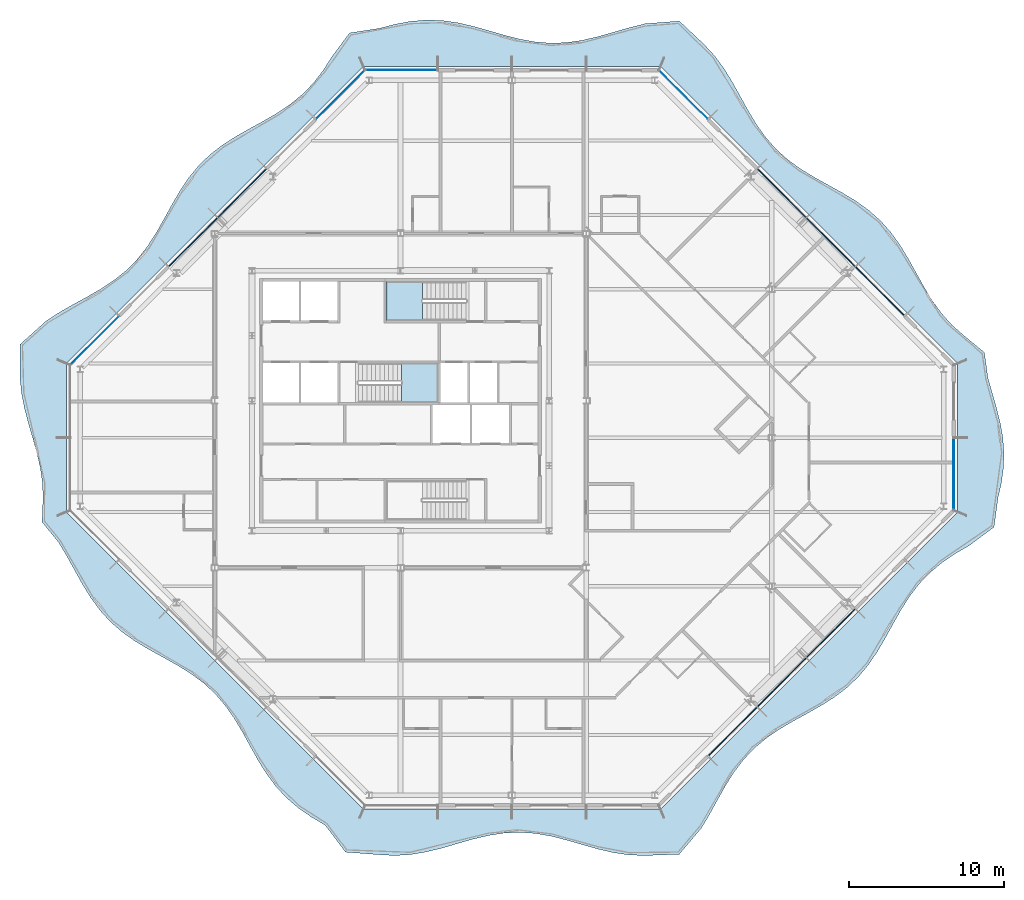
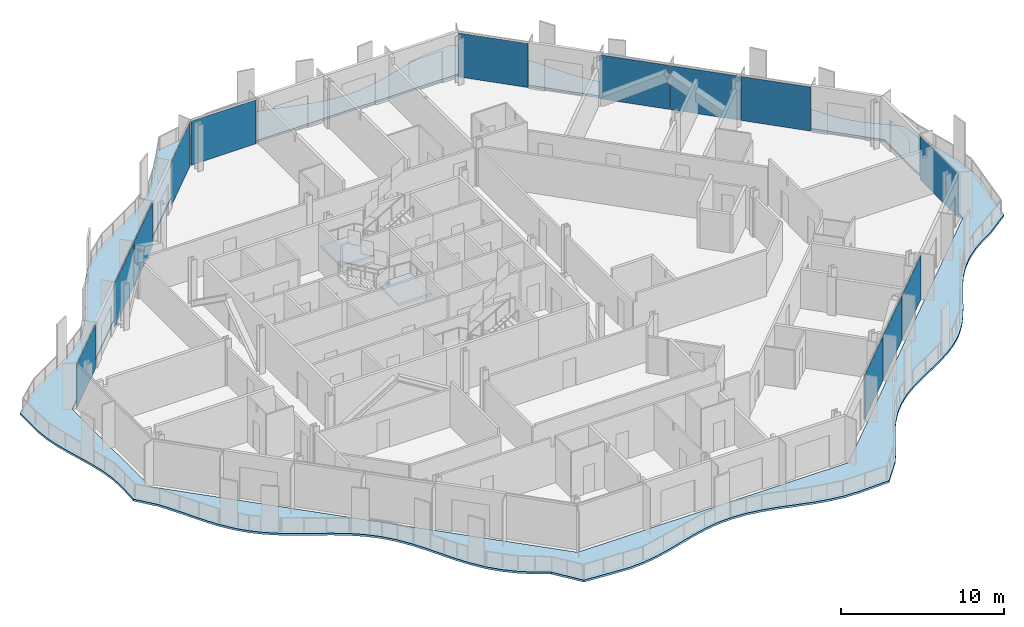
# One storey, part 6 of 17: 13 plates, 3 slabs, 7 elements without a shape of their own.
"""IFC4 building model written with IfcOpenShell, lengths in metres."""

from ifc_helpers import new_model, si_unit, direction, frame, origin, origin_2d, place, context, subcontext, project, spatial, polyline, rectangle, outline, extrude, material, layer, layer_set, type_object, element, aggregate, save


model = new_model("IFC4")

# Units and contexts
model_context = context("Model", 3, precision=1e-05, world=origin(), true_north=direction((0.0, 1.0)))
body_context = subcontext(model_context, "Body", "Model", "MODEL_VIEW")
ifc_project = project(units=[si_unit("LENGTHUNIT", "METRE"), si_unit("AREAUNIT", "SQUARE_METRE"), si_unit("VOLUMEUNIT", "CUBIC_METRE"), si_unit("PLANEANGLEUNIT", "RADIAN"), si_unit("MASSUNIT", "GRAM", prefix="KILO")], contexts=[model_context])

# Site, building, storey
site_placement = place(None, origin())
site = spatial("IfcSite", under=ifc_project, at=site_placement, CompositionType="ELEMENT")
building_placement = place(site_placement, origin())
building = spatial("IfcBuilding", under=site, at=building_placement, Name="Cairn Pilgrim Tower", CompositionType="ELEMENT")
storey_placement = place(building_placement, frame((0.0, 0.0, 253.800048828125)))
storey = spatial("IfcBuildingStorey", under=building, at=storey_placement, Name="L65", CompositionType="ELEMENT", Elevation=253.800048828125)

# Slab
ifc_material_1 = material(Name="Concrete C35/45", Category="concrete")
ifc_layer_1 = layer(ifc_material_1, 0.14990234375)
ifc_layer_set_1 = layer_set([ifc_layer_1], Name="BALCONY SLAB 150 CONCRETE C35/45")
slab_type_1 = type_object("IfcSlabType", Name="BALCONY SLAB 150 CONCRETE C35/45", PredefinedType="FLOOR", material=ifc_layer_set_1)
slab_1_placement = place(storey_placement, frame((0.0, 0.0, -0.150146484375)))
element("IfcSlab", 1, at=slab_1_placement, inside=storey, type_object=slab_type_1, Name="Balcony slab BS-1", PredefinedType="FLOOR", context=body_context, shape_type="SweptSolid", body=[
    extrude(outline(polyline([(2.335205078125, -25.04248046875), (3.6484375, -26.7802734375), (5.810546875, -26.944091796875), (6.821044921875, -27.0), (7.83154296875, -26.939208984375), (8.842041015625, -26.771484375), (9.8525390625, -26.522705078125), (10.863037109375, -26.2314453125), (11.873779296875, -25.943115234375), (12.88427734375, -25.702392578125), (13.894775390625, -25.546875), (14.9052734375, -25.500732421875), (15.915771484375, -25.57080078125), (16.92626953125, -25.74658203125), (17.936767578125, -26.000732421875), (18.947265625, -26.29345703125), (19.9580078125, -26.579345703125), (20.968505859375, -26.814208984375), (21.97900390625, -26.96142578125), (22.989501953125, -26.998046875), (25.208740234375, -26.918212890625), (26.6455078125, -25.223388671875), (27.1748046875, -24.330322265625), (27.67919921875, -23.41259765625), (28.1904296875, -22.501708984375), (28.739501953125, -21.62841796875), (29.35107421875, -20.81787109375), (30.040771484375, -20.085205078125), (30.811767578125, -19.433837890625), (31.65478515625, -18.854736328125), (32.549560546875, -18.3271484375), (33.4677734375, -17.8232421875), (34.377685546875, -17.31103515625), (35.24853515625, -16.759521484375), (36.0556640625, -16.144775390625), (36.78466796875, -15.451416015625), (37.432373046875, -14.6767578125), (38.0087890625, -13.8310546875), (38.53466796875, -12.9345703125), (39.0380859375, -12.015869140625), (39.5517578125, -11.107177734375), (40.10546875, -10.23876953125), (40.7236328125, -9.434814453125), (41.420654296875, -8.70947265625), (42.19873046875, -8.0654296875), (43.04736328125, -7.49169921875), (43.9453125, -6.967529296875), (45.5537109375, -5.77490234375), (45.81982421875, -3.840087890625), (46.033935546875, -2.8798828125), (46.166259765625, -1.919921875), (46.19775390625, -0.9599609375), (46.12451171875, 0.0), (45.956298828125, 0.9599609375), (45.717041015625, 1.919921875), (45.4404296875, 2.8798828125), (45.1650390625, 3.840087890625), (44.9296875, 5.516357421875), (43.59326171875, 6.615478515625), (42.83837890625, 7.282958984375), (42.165283203125, 8.031982421875), (41.56787109375, 8.85693359375), (41.02880859375, 9.739990234375), (40.521484375, 10.655029296875), (40.0146484375, 11.5703125), (39.476806640625, 12.45458984375), (38.88134765625, 13.28125), (38.210205078125, 14.032470703125), (37.45751953125, 14.701904296875), (36.629638671875, 15.296142578125), (35.744384765625, 15.833251953125), (34.82861328125, 16.33984375), (33.9140625, 16.847412109375), (33.031982421875, 17.387451171875), (32.208251953125, 17.986083984375), (31.460693359375, 18.660888671875), (30.794921875, 19.4169921875), (30.20361328125, 20.248046875), (29.668701171875, 21.13525390625), (29.16259765625, 22.051513671875), (28.654296875, 22.96533203125), (28.112060546875, 23.845458984375), (27.51025390625, 24.666015625), (26.83203125, 25.409912109375), (25.2138671875, 26.930419921875), (22.989501953125, 26.755615234375), (21.97900390625, 26.502197265625), (20.968505859375, 26.20947265625), (19.9580078125, 25.92333984375), (18.947265625, 25.687744140625), (17.936767578125, 25.53955078125), (16.92626953125, 25.501953125), (15.915771484375, 25.580322265625), (14.9052734375, 25.762939453125), (13.894775390625, 26.021240234375), (12.88427734375, 26.315185546875), (11.873779296875, 26.598876953125), (10.863037109375, 26.828369140625), (9.8525390625, 26.968017578125), (8.842041015625, 26.99609375), (7.83154296875, 26.907958984375), (6.821044921875, 26.7177734375), (5.810546875, 26.454833984375), (3.9052734375, 26.16015625), (2.759033203125, 24.61865234375), (2.20556640625, 23.75), (1.58740234375, 22.946044921875), (0.890380859375, 22.220703125), (0.112548828125, 21.576171875), (-0.73583984375, 21.00244140625), (-1.634033203125, 20.478271484375), (-2.552734375, 19.97509765625), (-3.46044921875, 19.46044921875), (-4.326416015625, 18.904296875), (-5.127197265625, 18.282958984375), (-5.848876953125, 17.582275390625), (-6.48974609375, 16.801025390625), (-7.060791015625, 15.94970703125), (-7.583251953125, 15.050048828125), (-8.08642578125, 14.131103515625), (-8.602294921875, 13.224609375), (-9.160888671875, 12.361083984375), (-9.785888671875, 11.5634765625), (-10.489990234375, 10.845703125), (-11.27490234375, 10.208251953125), (-12.12890625, 9.639892578125), (-13.030029296875, 9.118896484375), (-13.94921875, 8.615966796875), (-14.854248046875, 8.0986328125), (-15.71533203125, 7.53759765625), (-17.383056640625, 6.03564453125), (-17.389892578125, 3.840087890625), (-17.292724609375, 2.8798828125), (-17.105224609375, 1.919921875), (-16.85400390625, 0.9599609375), (-16.573974609375, 0.0), (-16.3046875, -0.9599609375), (-16.083740234375, -1.919921875), (-15.9423828125, -2.8798828125), (-15.900634765625, -3.840087890625), (-15.9638671875, -5.44775390625), (-14.91455078125, -6.73681640625), (-14.37939453125, -7.623779296875), (-13.87353515625, -8.5400390625), (-13.364990234375, -9.453857421875), (-12.822998046875, -10.334228515625), (-12.221435546875, -11.15478515625), (-11.543212890625, -11.898681640625), (-10.783447265625, -12.56103515625), (-9.949462890625, -13.1494140625), (-9.060546875, -13.6826171875), (-8.1435546875, -14.18798828125), (-7.230712890625, -14.697265625), (-6.3525390625, -15.241455078125), (-5.53515625, -15.84619140625), (-4.794921875, -16.528076171875), (-4.135986328125, -17.29150390625), (-3.550537109375, -18.12841796875), (-3.019287109375, -19.019287109375), (-2.514404296875, -19.936767578125), (-2.00439453125, -20.848876953125), (-1.457763671875, -21.724609375), (-0.849853515625, -22.538818359375), (-0.164306640625, -23.275390625), (0.6025390625, -23.9306640625), (1.4423828125, -24.51318359375), (2.335205078125, -25.04248046875)]), holes=[polyline([(24.0, -24.0), (4.800048828125, -24.0), (-14.39990234375, -4.800048828125), (-14.39990234375, 4.800048828125), (4.800048828125, 24.0), (24.0, 24.0), (43.199951171875, 4.800048828125), (43.199951171875, -4.800048828125), (24.0, -24.0)])]), origin(), (0.0, 0.0, 1.0), 0.150146484375),
])

# Curtain wall, plates
ifc_material_2 = material(Name="Aluminium alloy 6063-T6 bronze anodised with Bronze tinted laminated low-E glass 8+16+8.8", Category="aluminium")
curtain_wall_type_1 = type_object("IfcCurtainWallType", Name="CHAMFER CORNER CURTAIN WALL", PredefinedType="NOTDEFINED", material=ifc_material_2)
curtain_wall_1_placement = place(storey_placement, origin())
curtain_wall_1 = element("IfcCurtainWall", 2, at=curtain_wall_1_placement, inside=storey, type_object=curtain_wall_type_1, Name="Chamfer Corner Curtain Wall SE", PredefinedType="NOTDEFINED")
ifc_material_3 = material(Name="Bronze anodised aluminium spandrel panel with mineral wool insulation", Category="aluminium")
ifc_layer_2 = layer(ifc_material_3, 0.06005859375)
ifc_layer_set_2 = layer_set([ifc_layer_2], Name="SPANDREL PANEL 4431x3300")
plate_type_1 = type_object("IfcPlateType", Name="SPANDREL PANEL 4431x3300", PredefinedType="CURTAIN_PANEL", material=ifc_layer_set_2)
plate_1_placement = place(storey_placement, frame((28.659912109375, -18.986572265625, 0.0), z_axis=(0.0, 0.0, 1.0), x_axis=(0.707106781187, 0.707106781187, 0.0)))
plate_1 = element("IfcPlate", 3, at=plate_1_placement, type_object=plate_type_1, Name="Spandrel Panel SE2-1", PredefinedType="CURTAIN_PANEL", context=body_context, shape_type="SweptSolid", body=[
    extrude(rectangle(XDim=4.430908203125, YDim=0.06005859375, at=origin_2d()), origin(), (0.0, 0.0, 1.0), 3.300048828125),
])
plate_2_placement = place(storey_placement, frame((31.83544921875, -15.81103515625, 0.0), z_axis=(0.0, 0.0, 1.0), x_axis=(0.707106781187, 0.707106781187, 0.0)))
plate_2 = element("IfcPlate", 4, at=plate_2_placement, type_object=plate_type_1, Name="Spandrel Panel SE3-1", PredefinedType="CURTAIN_PANEL", context=body_context, shape_type="SweptSolid", body=[
    extrude(rectangle(XDim=4.430908203125, YDim=0.06005859375, at=origin_2d()), origin(), (0.0, 0.0, 1.0), 3.300048828125),
])
plate_3_placement = place(storey_placement, frame((35.010986328125, -12.635498046875, 0.0), z_axis=(0.0, 0.0, 1.0), x_axis=(0.707106781187, 0.707106781187, 0.0)))
plate_3 = element("IfcPlate", 5, at=plate_3_placement, type_object=plate_type_1, Name="Spandrel Panel SE4-1", PredefinedType="CURTAIN_PANEL", context=body_context, shape_type="SweptSolid", body=[
    extrude(rectangle(XDim=4.430908203125, YDim=0.06005859375, at=origin_2d()), origin(), (0.0, 0.0, 1.0), 3.300048828125),
])
aggregate(curtain_wall_1, [plate_1, plate_2, plate_3])

curtain_wall_2_placement = place(storey_placement, origin())
curtain_wall_2 = element("IfcCurtainWall", 6, at=curtain_wall_2_placement, inside=storey, type_object=curtain_wall_type_1, Name="Chamfer Corner Curtain Wall NE", PredefinedType="NOTDEFINED")
plate_4_placement = place(storey_placement, frame((38.1865234375, 9.459716796875, 0.0), z_axis=(0.0, 0.0, 1.0), x_axis=(-0.707106781187, 0.707106781187, 0.0)))
plate_4 = element("IfcPlate", 7, at=plate_4_placement, type_object=plate_type_1, Name="Spandrel Panel NE2-1", PredefinedType="CURTAIN_PANEL", context=body_context, shape_type="SweptSolid", body=[
    extrude(rectangle(XDim=4.430908203125, YDim=0.06005859375, at=origin_2d()), origin(), (0.0, 0.0, 1.0), 3.300048828125),
])
plate_5_placement = place(storey_placement, frame((35.010986328125, 12.635498046875, 0.0), z_axis=(0.0, 0.0, 1.0), x_axis=(-0.707106781187, 0.707106781187, 0.0)))
plate_5 = element("IfcPlate", 8, at=plate_5_placement, type_object=plate_type_1, Name="Spandrel Panel NE3-1", PredefinedType="CURTAIN_PANEL", context=body_context, shape_type="SweptSolid", body=[
    extrude(rectangle(XDim=4.430908203125, YDim=0.06005859375, at=origin_2d()), origin(), (0.0, 0.0, 1.0), 3.300048828125),
])
plate_6_placement = place(storey_placement, frame((31.83544921875, 15.81103515625, 0.0), z_axis=(0.0, 0.0, 1.0), x_axis=(-0.707106781187, 0.707106781187, 0.0)))
plate_6 = element("IfcPlate", 9, at=plate_6_placement, type_object=plate_type_1, Name="Spandrel Panel NE4-1", PredefinedType="CURTAIN_PANEL", context=body_context, shape_type="SweptSolid", body=[
    extrude(rectangle(XDim=4.430908203125, YDim=0.06005859375, at=origin_2d()), origin(), (0.0, 0.0, 1.0), 3.300048828125),
])

curtain_wall_3_placement = place(storey_placement, origin())
curtain_wall_3 = element("IfcCurtainWall", 10, at=curtain_wall_3_placement, inside=storey, type_object=curtain_wall_type_1, Name="Chamfer Corner Curtain Wall NW", PredefinedType="NOTDEFINED")
plate_7_placement = place(storey_placement, frame((-3.035400390625, 15.81103515625, 0.0), z_axis=(0.0, 0.0, 1.0), x_axis=(-0.707106781187, -0.707106781187, 0.0)))
plate_7 = element("IfcPlate", 11, at=plate_7_placement, type_object=plate_type_1, Name="Spandrel Panel NW3-1", PredefinedType="CURTAIN_PANEL", context=body_context, shape_type="SweptSolid", body=[
    extrude(rectangle(XDim=4.430908203125, YDim=0.06005859375, at=origin_2d()), origin(), (0.0, 0.0, 1.0), 3.300048828125),
])
plate_8_placement = place(storey_placement, frame((-6.2109375, 12.635498046875, 0.0), z_axis=(0.0, 0.0, 1.0), x_axis=(-0.707106781187, -0.707106781187, 0.0)))
plate_8 = element("IfcPlate", 12, at=plate_8_placement, type_object=plate_type_1, Name="Spandrel Panel NW4-1", PredefinedType="CURTAIN_PANEL", context=body_context, shape_type="SweptSolid", body=[
    extrude(rectangle(XDim=4.430908203125, YDim=0.06005859375, at=origin_2d()), origin(), (0.0, 0.0, 1.0), 3.300048828125),
])

# Stair, slab
ifc_material_4 = material(Name="Concrete C32/40", Category="concrete")
stair_type = type_object("IfcStairType", Name="EXIT STAIR 1200", PredefinedType="HALF_TURN_STAIR", material=ifc_material_4)
stair_1_placement = place(storey_placement, origin())
stair_1 = element("IfcStair", 13, at=stair_1_placement, inside=storey, type_object=stair_type, Name="L65 Exit Stair B", PredefinedType="HALF_TURN_STAIR")
ifc_layer_3 = layer(ifc_material_4, 0.199951171875)
ifc_layer_set_3 = layer_set([ifc_layer_3], Name="STAIR LANDING 200")
slab_type_2 = type_object("IfcSlabType", Name="STAIR LANDING 200", PredefinedType="LANDING", material=ifc_layer_set_3)
slab_2_placement = place(storey_placement, frame((0.0, 0.0, 1.599853515625)))
slab_2 = element("IfcSlab", 14, at=slab_2_placement, type_object=slab_type_2, Name="ST-B landing 1", PredefinedType="LANDING", context=body_context, shape_type="SweptSolid", body=[
    extrude(outline(polyline([(7.27490234375, 2.27490234375), (9.625, 2.27490234375), (9.625, 4.824951171875), (7.27490234375, 4.824951171875), (7.27490234375, 2.27490234375)])), origin(), (0.0, 0.0, 1.0), 0.2001953125),
])
aggregate(stair_1, [slab_2])

stair_2_placement = place(storey_placement, origin())
stair_2 = element("IfcStair", 15, at=stair_2_placement, inside=storey, type_object=stair_type, Name="L65 Exit Stair C", PredefinedType="HALF_TURN_STAIR")
slab_3_placement = place(storey_placement, frame((0.0, 0.0, 1.599853515625)))
slab_3 = element("IfcSlab", 16, at=slab_3_placement, type_object=slab_type_2, Name="ST-C landing 1", PredefinedType="LANDING", context=body_context, shape_type="SweptSolid", body=[
    extrude(outline(polyline([(8.625, 10.10009765625), (6.27490234375, 10.10009765625), (6.27490234375, 7.574951171875), (8.625, 7.574951171875), (8.625, 10.10009765625)])), origin(), (0.0, 0.0, 1.0), 0.2001953125),
])
aggregate(stair_2, [slab_3])

# Plate
ifc_material_5 = material(Name="Bronze tinted laminated low-E glass 8+16+8.8", Category="glass")
ifc_layer_4 = layer(ifc_material_5, 0.033935546875)
ifc_layer_set_4 = layer_set([ifc_layer_4], Name="VISION GLAZING 4421x3300")
plate_type_2 = type_object("IfcPlateType", Name="VISION GLAZING 4421x3300", PredefinedType="CURTAIN_PANEL", material=ifc_layer_set_4)
plate_9_placement = place(storey_placement, frame((25.48779296875, 22.15869140625, 0.0), z_axis=(0.0, 0.0, 1.0), x_axis=(-0.707106781187, 0.707106781187, 0.0)))
plate_9 = element("IfcPlate", 17, at=plate_9_placement, type_object=plate_type_2, Name="Vision Glazing NE6-1", PredefinedType="CURTAIN_PANEL", context=body_context, shape_type="SweptSolid", body=[
    extrude(rectangle(XDim=4.4208984375, YDim=0.033935546875, at=origin_2d()), origin(), (0.0, 0.0, 1.0), 3.300048828125),
])

aggregate(curtain_wall_2, [plate_4, plate_5, plate_6, plate_9])

plate_10_placement = place(storey_placement, frame((3.312255859375, 22.15869140625, 0.0), z_axis=(0.0, 0.0, 1.0), x_axis=(-0.707106781187, -0.707106781187, 0.0)))
plate_10 = element("IfcPlate", 18, at=plate_10_placement, type_object=plate_type_2, Name="Vision Glazing NW1-1", PredefinedType="CURTAIN_PANEL", context=body_context, shape_type="SweptSolid", body=[
    extrude(rectangle(XDim=4.4208984375, YDim=0.033935546875, at=origin_2d()), origin(), (0.0, 0.0, 1.0), 3.300048828125),
])

plate_11_placement = place(storey_placement, frame((-12.55859375, 6.287841796875, 0.0), z_axis=(0.0, 0.0, 1.0), x_axis=(-0.707106781187, -0.707106781187, 0.0)))
plate_11 = element("IfcPlate", 19, at=plate_11_placement, type_object=plate_type_2, Name="Vision Glazing NW6-1", PredefinedType="CURTAIN_PANEL", context=body_context, shape_type="SweptSolid", body=[
    extrude(rectangle(XDim=4.4208984375, YDim=0.033935546875, at=origin_2d()), origin(), (0.0, 0.0, 1.0), 3.300048828125),
])

aggregate(curtain_wall_3, [plate_10, plate_7, plate_8, plate_11])

# Curtain wall, plate
curtain_wall_type_2 = type_object("IfcCurtainWallType", Name="TOWER STICK CURTAIN WALL EW", PredefinedType="NOTDEFINED", material=ifc_material_2)
curtain_wall_4_placement = place(storey_placement, origin())
curtain_wall_4 = element("IfcCurtainWall", 20, at=curtain_wall_4_placement, inside=storey, type_object=curtain_wall_type_2, Name="Tower Stick Curtain Wall Ew E", PredefinedType="NOTDEFINED")
ifc_layer_5 = layer(ifc_material_5, 0.033935546875)
ifc_layer_set_5 = layer_set([ifc_layer_5], Name="VISION GLAZING 4626x3300")
plate_type_3 = type_object("IfcPlateType", Name="VISION GLAZING 4626x3300", PredefinedType="CURTAIN_PANEL", material=ifc_layer_set_5)
plate_12_placement = place(storey_placement, frame((42.949951171875, -2.34326171875, 0.0), z_axis=(0.0, 0.0, 1.0), x_axis=(0.0, 1.0, 0.0)))
plate_12 = element("IfcPlate", 21, at=plate_12_placement, type_object=plate_type_3, Name="Vision Glazing E1-1", PredefinedType="CURTAIN_PANEL", context=body_context, shape_type="SweptSolid", body=[
    extrude(rectangle(XDim=4.62646484375, YDim=0.033935546875, at=origin_2d()), origin(), (0.0, 0.0, 1.0), 3.300048828125),
])
aggregate(curtain_wall_4, [plate_12])

curtain_wall_type_3 = type_object("IfcCurtainWallType", Name="TOWER STICK CURTAIN WALL NS", PredefinedType="NOTDEFINED", material=ifc_material_2)
curtain_wall_5_placement = place(storey_placement, origin())
curtain_wall_5 = element("IfcCurtainWall", 22, at=curtain_wall_5_placement, inside=storey, type_object=curtain_wall_type_3, Name="Tower Stick Curtain Wall Ns N", PredefinedType="NOTDEFINED")
plate_13_placement = place(storey_placement, frame((7.2568359375, 23.75, 0.0), z_axis=(0.0, 0.0, 1.0), x_axis=(-1.0, 0.0, 0.0)))
plate_13 = element("IfcPlate", 23, at=plate_13_placement, type_object=plate_type_3, Name="Vision Glazing N4-1", PredefinedType="CURTAIN_PANEL", context=body_context, shape_type="SweptSolid", body=[
    extrude(rectangle(XDim=4.62646484375, YDim=0.033935546875, at=origin_2d()), origin(), (0.0, 0.0, 1.0), 3.300048828125),
])
aggregate(curtain_wall_5, [plate_13])

save(model, "model.ifc")
